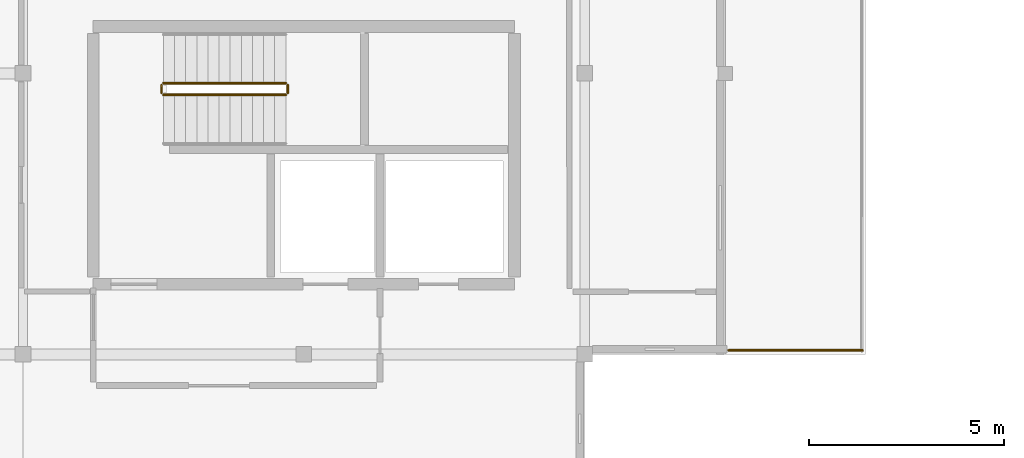
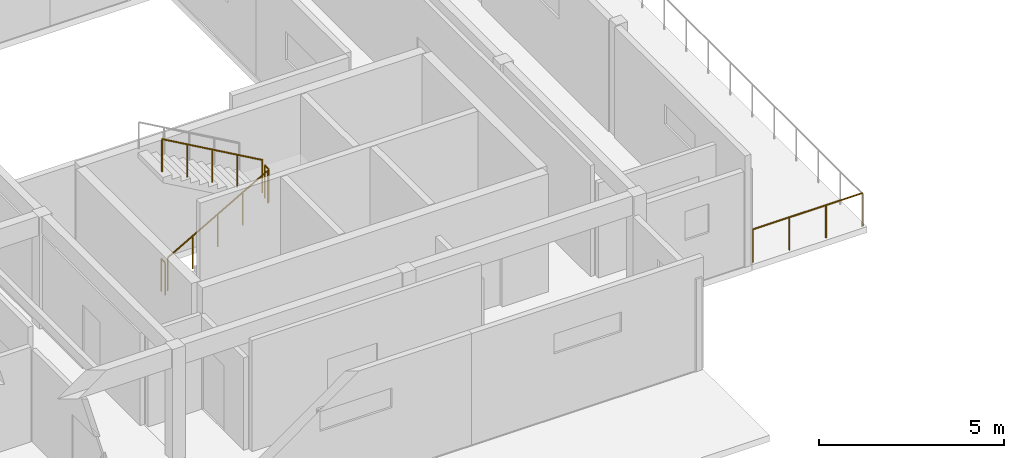
# One storey, part 9 of 12: 5 railings.
"""IFC4 building model written with IfcOpenShell, lengths in metres."""

from ifc_helpers import new_model, si_unit, direction, frame, origin, origin_2d, place, context, subcontext, project, spatial, circle, extrude, material, type_object, element, save


model = new_model("IFC4")

# Units and contexts
model_context = context("Model", 3, precision=1e-05, world=origin(), true_north=direction((0.0, 1.0)))
body_context = subcontext(model_context, "Body", "Model", "MODEL_VIEW")
ifc_project = project(units=[si_unit("LENGTHUNIT", "METRE"), si_unit("AREAUNIT", "SQUARE_METRE"), si_unit("VOLUMEUNIT", "CUBIC_METRE"), si_unit("PLANEANGLEUNIT", "RADIAN"), si_unit("MASSUNIT", "GRAM", prefix="KILO")], contexts=[model_context])

# Site, building, storey
site_placement = place(None, origin())
site = spatial("IfcSite", under=ifc_project, at=site_placement, CompositionType="ELEMENT")
building_placement = place(site_placement, origin())
building = spatial("IfcBuilding", under=site, at=building_placement, Name="Bramvelor Terrace Health Centre", CompositionType="ELEMENT")
storey_placement = place(building_placement, frame((0.0, 0.0, 17.699951171875)))
storey = spatial("IfcBuildingStorey", under=building, at=storey_placement, Name="L05", CompositionType="ELEMENT", Elevation=17.699951171875)

# Railings
ifc_material_1 = material(Name="Painted galvanized steel", Category="steel")
railing_type_1 = type_object("IfcRailingType", Name="RLG-GD-1100", PredefinedType="GUARDRAIL", material=ifc_material_1)
railing_1_placement = place(storey_placement, frame((18.0, 93.050048828125, 0.16259765625)))
element("IfcRailing", 1, at=railing_1_placement, inside=storey, type_object=railing_type_1, Name="L05 ST-2 stair guard 1", PredefinedType="GUARDRAIL", context=body_context, shape_type="SweptSolid", body=[
    extrude(circle(Radius=0.02392578125, at=origin_2d()), frame((0.0, 0.0, 1.076171875), z_axis=(0.868729823959, 0.0, 0.495286273749), x_axis=(0.0, 1.0, 0.0)), (0.0, 0.0, 1.0), 3.608642578125),
    extrude(circle(Radius=0.02099609375, at=origin_2d()), origin(), (0.0, 0.0, 1.0), 1.052001953125),
    extrude(circle(Radius=0.02099609375, at=origin_2d()), frame((0.78369140625, 0.0, 0.44677734375)), (0.0, 0.0, 1.0), 1.052001953125),
    extrude(circle(Radius=0.02099609375, at=origin_2d()), frame((1.5673828125, 0.0, 0.8935546875)), (0.0, 0.0, 1.0), 1.052001953125),
    extrude(circle(Radius=0.02099609375, at=origin_2d()), frame((2.351318359375, 0.0, 1.340576171875)), (0.0, 0.0, 1.0), 1.052001953125),
    extrude(circle(Radius=0.02099609375, at=origin_2d()), frame((3.135009765625, 0.0, 1.787353515625)), (0.0, 0.0, 1.0), 1.052001953125),
])
railing_2_placement = place(storey_placement, frame((21.18505859375, 93.10009765625, 1.949951171875)))
element("IfcRailing", 2, at=railing_2_placement, inside=storey, type_object=railing_type_1, Name="L05 ST-2 stair guard 2", PredefinedType="GUARDRAIL", context=body_context, shape_type="SweptSolid", body=[
    extrude(circle(Radius=0.02392578125, at=origin_2d()), frame((0.0, 0.0, 1.076171875), z_axis=(0.0, 1.0, 0.0), x_axis=(-1.0, 0.0, 0.0)), (0.0, 0.0, 1.0), 0.199951171875),
    extrude(circle(Radius=0.02099609375, at=origin_2d()), origin(), (0.0, 0.0, 1.0), 1.052001953125),
    extrude(circle(Radius=0.02099609375, at=origin_2d()), frame((0.0, 0.199951171875, 0.0)), (0.0, 0.0, 1.0), 1.052001953125),
])
railing_3_placement = place(storey_placement, frame((21.135009765625, 93.35009765625, 2.112548828125)))
element("IfcRailing", 3, at=railing_3_placement, inside=storey, type_object=railing_type_1, Name="L05 ST-2 stair guard 3", PredefinedType="GUARDRAIL", context=body_context, shape_type="SweptSolid", body=[
    extrude(circle(Radius=0.02392578125, at=origin_2d()), frame((0.0, 0.0, 1.076171875), z_axis=(-0.86870071446, 0.0, 0.495337328189), x_axis=(0.0, -1.0, 0.0)), (0.0, 0.0, 1.0), 3.60888671875),
    extrude(circle(Radius=0.02099609375, at=origin_2d()), origin(), (0.0, 0.0, 1.0), 1.052001953125),
    extrude(circle(Radius=0.02099609375, at=origin_2d()), frame((-0.78369140625, 0.0, 0.44677734375)), (0.0, 0.0, 1.0), 1.052001953125),
    extrude(circle(Radius=0.02099609375, at=origin_2d()), frame((-1.5673828125, 0.0, 0.893798828125)), (0.0, 0.0, 1.0), 1.052001953125),
    extrude(circle(Radius=0.02099609375, at=origin_2d()), frame((-2.351318359375, 0.0, 1.3408203125)), (0.0, 0.0, 1.0), 1.052001953125),
    extrude(circle(Radius=0.02099609375, at=origin_2d()), frame((-3.135009765625, 0.0, 1.78759765625)), (0.0, 0.0, 1.0), 1.052001953125),
])
railing_4_placement = place(storey_placement, frame((17.949951171875, 93.10009765625, 0.0)))
element("IfcRailing", 4, at=railing_4_placement, inside=storey, type_object=railing_type_1, Name="L05 ST-2 stair guard 4", PredefinedType="GUARDRAIL", context=body_context, shape_type="SweptSolid", body=[
    extrude(circle(Radius=0.02392578125, at=origin_2d()), frame((0.0, 0.0, 1.076171875), z_axis=(0.0, 1.0, 0.0), x_axis=(-1.0, 0.0, 0.0)), (0.0, 0.0, 1.0), 0.199951171875),
    extrude(circle(Radius=0.02099609375, at=origin_2d()), origin(), (0.0, 0.0, 1.0), 1.052001953125),
    extrude(circle(Radius=0.02099609375, at=origin_2d()), frame((0.0, 0.199951171875, 0.0)), (0.0, 0.0, 1.0), 1.052001953125),
])
ifc_material_2 = material(Name="Laminated safety glass and stainless steel", Category="steel")
railing_type_2 = type_object("IfcRailingType", Name="RLG-TER-1100", PredefinedType="BALUSTRADE", material=ifc_material_2)
railing_5_placement = place(storey_placement, frame((35.919921875, 86.5, 0.0)))
element("IfcRailing", 5, at=railing_5_placement, inside=storey, type_object=railing_type_2, Name="L05 Planted Terrace Safety Balustrade 8", PredefinedType="BALUSTRADE", context=body_context, shape_type="SweptSolid", body=[
    extrude(circle(Radius=0.02392578125, at=origin_2d()), frame((0.0, 0.0, 1.076171875), z_axis=(-1.0, 0.0, 0.0), x_axis=(0.0, -1.0, 0.0)), (0.0, 0.0, 1.0), 3.434814453125),
    extrude(circle(Radius=0.02099609375, at=origin_2d()), origin(), (0.0, 0.0, 1.0), 1.052001953125),
    extrude(circle(Radius=0.02099609375, at=origin_2d()), frame((-1.14501953125, 0.0, 0.0)), (0.0, 0.0, 1.0), 1.052001953125),
    extrude(circle(Radius=0.02099609375, at=origin_2d()), frame((-2.289794921875, 0.0, 0.0)), (0.0, 0.0, 1.0), 1.052001953125),
    extrude(circle(Radius=0.02099609375, at=origin_2d()), frame((-3.434814453125, 0.0, 0.0)), (0.0, 0.0, 1.0), 1.052001953125),
])

save(model, "model.ifc")
